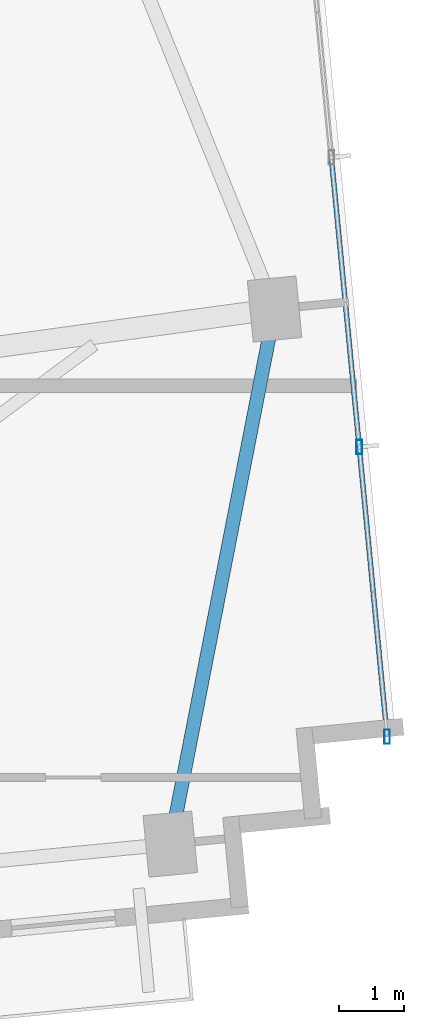
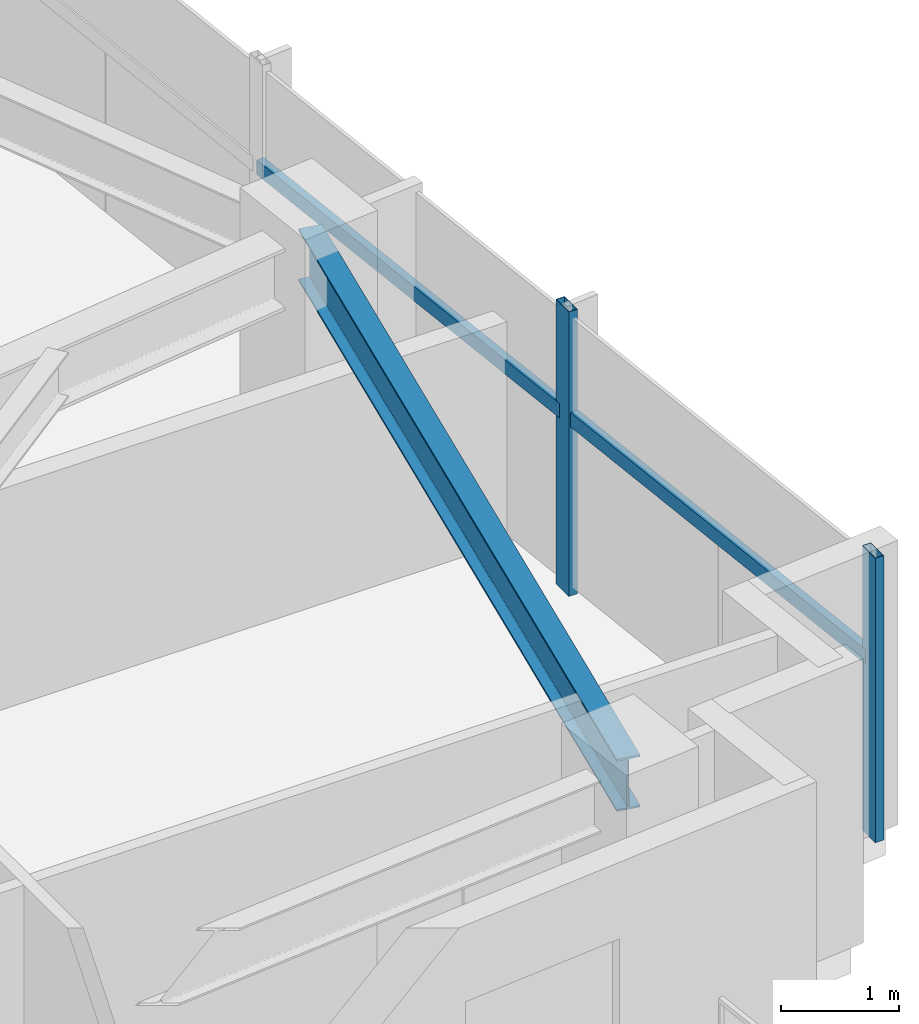
# One storey, part 10 of 18: 4 members, 1 beam, 1 element without a shape of its own.
"""IFC4 building model written with IfcOpenShell, lengths in metres."""

from ifc_helpers import new_model, si_unit, direction, frame, origin, origin_2d, place, context, subcontext, project, spatial, hollow_rectangle, i_section, extrude, source, transform, mapped, material, material_profile, profile_set, type_object, type_shapes, element, aggregate, save


model = new_model("IFC4")

# Units and contexts
model_context = context("Model", 3, precision=1e-05, world=origin(), true_north=direction((0.0, 1.0)))
body_context = subcontext(model_context, "Body", "Model", "MODEL_VIEW")
ifc_project = project(units=[si_unit("LENGTHUNIT", "METRE"), si_unit("AREAUNIT", "SQUARE_METRE"), si_unit("VOLUMEUNIT", "CUBIC_METRE"), si_unit("PLANEANGLEUNIT", "RADIAN"), si_unit("MASSUNIT", "GRAM", prefix="KILO")], contexts=[model_context])

# Site, building, storey
site_placement = place(None, origin())
site = spatial("IfcSite", under=ifc_project, at=site_placement, CompositionType="ELEMENT")
building_placement = place(site_placement, origin())
building = spatial("IfcBuilding", under=site, at=building_placement, Name="Astriad Promenade Condominiums", CompositionType="ELEMENT")
storey_placement = place(building_placement, frame((0.0, 0.0, 205.0)))
storey = spatial("IfcBuildingStorey", under=building, at=storey_placement, Name="L59", CompositionType="ELEMENT", Elevation=205.0)

# Beam
ifc_material_1 = material(Name="Steel ASTM A992 Grade 50", Category="steel")
ifc_material_profile_1 = material_profile(ifc_material_1, i_section(OverallWidth=0.210693359375, OverallDepth=0.53955078125, WebThickness=0.01171875, FlangeThickness=0.018798828125, FilletRadius=0.0166015625, at=origin_2d()), Name="W21X73")
ifc_profile_set_1 = profile_set([ifc_material_profile_1], Name="Steel ASTM A992 Grade 50")
beam_type = type_object("IfcBeamType", Name="STEEL SPANDREL BEAM W21X73", PredefinedType="SPANDREL", material=ifc_profile_set_1)
shared_shape_1 = source(origin(), body_context, "Body", "SweptSolid", [
    extrude(i_section(OverallWidth=0.210693359375, OverallDepth=0.53955078125, WebThickness=0.01171875, FlangeThickness=0.018798828125, FilletRadius=0.0166015625, at=origin_2d()), origin(), (0.0, 0.0, 1.0), 8.28564453125),
])
type_shapes(beam_type, [shared_shape_1])
beam_placement = place(storey_placement, frame((61.775634765625, 11.6552734375, 2.67041015625), z_axis=(0.191291582099, 0.981533254973, 0.0), x_axis=(-0.981533254973, 0.191291582099, 0.0)))
element("IfcBeam", 1, at=beam_placement, inside=storey, type_object=beam_type, Name="Perimeter Spandrel Beam SP-E1-L59", PredefinedType="SPANDREL", context=body_context, shape_type="MappedRepresentation", body=[
    mapped(shared_shape_1, transform((0.0, 0.0, 0.0), scale=1.0)),
])

# Curtain wall, members
ifc_material_2 = material(Name="Anodised aluminium Black Dark Glass Unitised", Category="aluminium")
curtain_wall_type = type_object("IfcCurtainWallType", Name="CW-B34-DARK", PredefinedType="USERDEFINED", material=ifc_material_2)
curtain_wall_placement = place(storey_placement, origin())
curtain_wall = element("IfcCurtainWall", 2, at=curtain_wall_placement, inside=storey, type_object=curtain_wall_type, Name="CW-L59-E", ObjectType="UNITISED_CURTAIN_WALL", PredefinedType="USERDEFINED")
ifc_material_3 = material(Name="Anodised aluminium 6063-T6 Black", Category="aluminium")
ifc_material_profile_2 = material_profile(ifc_material_3, hollow_rectangle(XDim=0.0849609375, YDim=0.219970703125, WallThickness=0.0048828125, at=origin_2d()), Name="ALU-MUL-85X220")
ifc_profile_set_2 = profile_set([ifc_material_profile_2], Name="Anodised aluminium 6063-T6 Black")
member_type_1 = type_object("IfcMemberType", Name="MUL-ALU-MUL-85X220", PredefinedType="MULLION", material=ifc_profile_set_2)
shared_shape_2 = source(origin(), body_context, "Body", "SweptSolid", [
    extrude(hollow_rectangle(XDim=0.0849609375, YDim=0.219970703125, WallThickness=0.0048828125, at=origin_2d()), origin(), (0.0, 0.0, 1.0), 2.93994140625),
])
type_shapes(member_type_1, [shared_shape_2])
member_1_placement = place(storey_placement, frame((64.667236328125, 17.70849609375, 0.0), z_axis=(0.0, 0.0, 1.0), x_axis=(1.0, 0.0, 0.0)))
member_1 = element("IfcMember", 3, at=member_1_placement, type_object=member_type_1, Name="CW-L59-E-MUL-02", PredefinedType="MULLION", context=body_context, shape_type="MappedRepresentation", body=[
    mapped(shared_shape_2, transform((0.0, 0.0, 0.0), scale=1.0)),
])
member_2_placement = place(storey_placement, frame((65.095458984375, 13.262451171875, 0.0), z_axis=(0.0, 0.0, 1.0), x_axis=(1.0, 0.0, 0.0)))
member_2 = element("IfcMember", 4, at=member_2_placement, type_object=member_type_1, Name="CW-L59-E-MUL-03", PredefinedType="MULLION", context=body_context, shape_type="MappedRepresentation", body=[
    mapped(shared_shape_2, transform((0.0, 0.0, 0.0), scale=1.0)),
])
ifc_material_profile_3 = material_profile(ifc_material_3, hollow_rectangle(XDim=0.074951171875, YDim=0.14990234375, WallThickness=0.004150390625, at=origin_2d()), Name="ALU-TRN-75X150")
ifc_profile_set_3 = profile_set([ifc_material_profile_3], Name="Anodised aluminium 6063-T6 Black")
member_type_2 = type_object("IfcMemberType", Name="TRN-ALU-TRN-75X150", PredefinedType="USERDEFINED", material=ifc_profile_set_3)
shared_shape_3 = source(origin(), body_context, "Body", "SweptSolid", [
    extrude(hollow_rectangle(XDim=0.074951171875, YDim=0.14990234375, WallThickness=0.004150390625, at=origin_2d()), origin(), (0.0, 0.0, 1.0), 4.466552734375),
])
type_shapes(member_type_2, [shared_shape_3])
member_3_placement = place(storey_placement, frame((64.239013671875, 22.154541015625, 1.82275390625), z_axis=(0.095871755514, -0.995393694221, 0.0), x_axis=(0.995393694221, 0.095871755514, 0.0)))
member_3 = element("IfcMember", 5, at=member_3_placement, type_object=member_type_2, Name="CW-L59-E-TRN-01-0", ObjectType="TRANSOM", PredefinedType="USERDEFINED", context=body_context, shape_type="MappedRepresentation", body=[
    mapped(shared_shape_3, transform((0.0, 0.0, 0.0), scale=1.0)),
])
member_4_placement = place(storey_placement, frame((64.667236328125, 17.70849609375, 1.82275390625), z_axis=(0.095871755514, -0.995393694221, 0.0), x_axis=(0.995393694221, 0.095871755514, 0.0)))
member_4 = element("IfcMember", 6, at=member_4_placement, type_object=member_type_2, Name="CW-L59-E-TRN-02-0", ObjectType="TRANSOM", PredefinedType="USERDEFINED", context=body_context, shape_type="MappedRepresentation", body=[
    mapped(shared_shape_3, transform((0.0, 0.0, 0.0), scale=1.0)),
])
aggregate(curtain_wall, [member_1, member_2, member_3, member_4])

save(model, "model.ifc")
